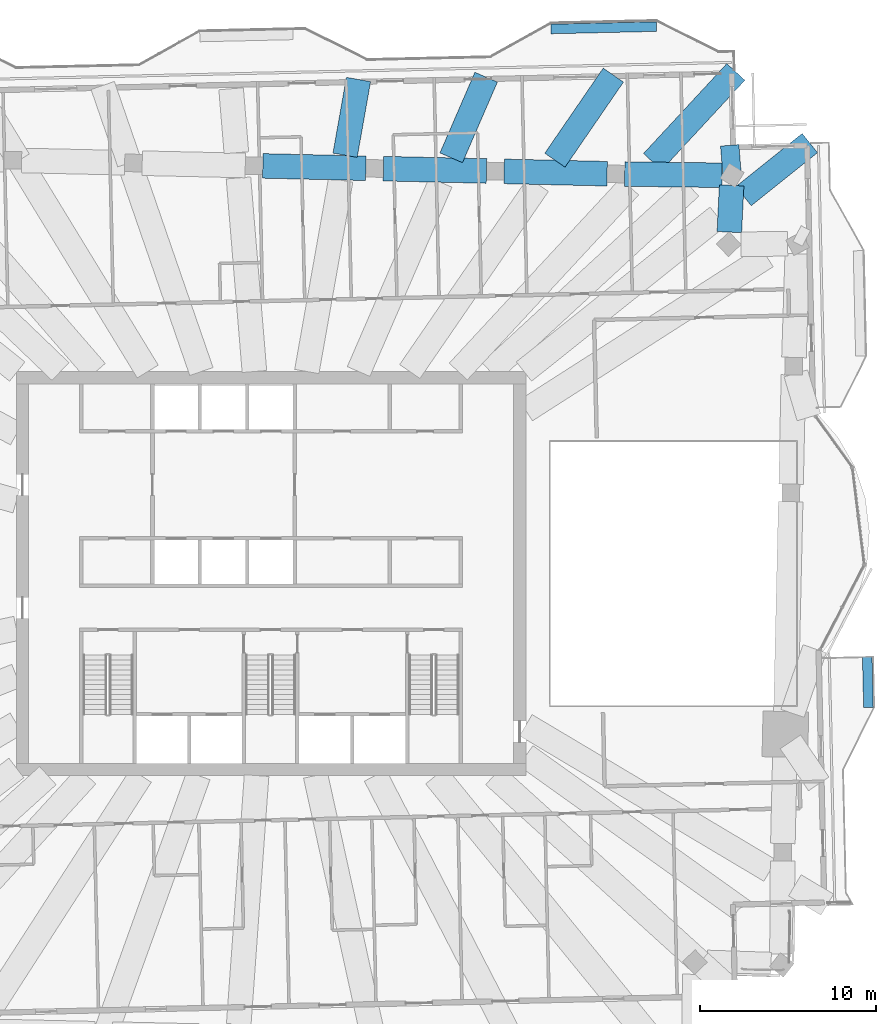
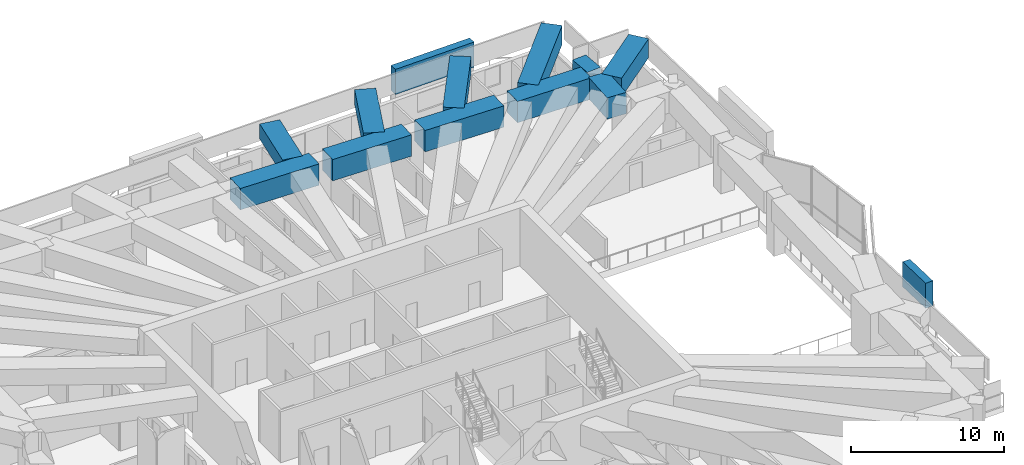
# One storey, part 8 of 21: 11 beams, 2 members.
"""IFC4 building model written with IfcOpenShell, lengths in metres."""

from ifc_helpers import new_model, si_unit, direction, frame, origin, origin_2d, place, context, subcontext, project, spatial, rectangle, extrude, material, material_profile, profile_set, type_object, element, save


model = new_model("IFC4")

# Units and contexts
model_context = context("Model", 3, precision=1e-05, world=origin(), true_north=direction((0.0, 1.0)))
body_context = subcontext(model_context, "Body", "Model", "MODEL_VIEW")
ifc_project = project(units=[si_unit("LENGTHUNIT", "METRE"), si_unit("AREAUNIT", "SQUARE_METRE"), si_unit("VOLUMEUNIT", "CUBIC_METRE"), si_unit("PLANEANGLEUNIT", "RADIAN"), si_unit("MASSUNIT", "GRAM", prefix="KILO")], contexts=[model_context])

# Site, building, storey
site_placement = place(None, origin())
site = spatial("IfcSite", under=ifc_project, at=site_placement, CompositionType="ELEMENT")
building_placement = place(site_placement, origin())
building = spatial("IfcBuilding", under=site, at=building_placement, Name="Mangrove Gate Tower", CompositionType="ELEMENT")
storey_placement = place(building_placement, frame((0.0, 0.0, 275.300048828125)))
storey = spatial("IfcBuildingStorey", under=building, at=storey_placement, Name="L70", CompositionType="ELEMENT", Elevation=275.300048828125)

# Members
ifc_material_1 = material(Name="Planting on aluminium trellis", Category="aluminium")
ifc_material_profile_1 = material_profile(ifc_material_1, rectangle(XDim=0.550048828125, YDim=2.0, at=origin_2d()))
ifc_profile_set_1 = profile_set([ifc_material_profile_1], Name="Planting on aluminium trellis")
member_type = type_object("IfcMemberType", Name="Balcony greenery screen 550x2000", PredefinedType="USERDEFINED", material=ifc_profile_set_1)
member_1_placement = place(storey_placement, frame((34.001953125, -7.616943359375, 1.800048828125), z_axis=(-0.022929749512, 0.99973707873, 0.0), x_axis=(-0.99973707873, -0.022929749512, 0.0)))
element("IfcMember", 1, at=member_1_placement, inside=storey, type_object=member_type, Name="GREEN SCREEN L70 E0.1", ObjectType="PLANTING", PredefinedType="USERDEFINED", context=body_context, shape_type="SweptSolid", body=[
    extrude(rectangle(XDim=0.550048828125, YDim=2.0, at=origin_2d()), origin(), (0.0, 0.0, 1.0), 2.874755859375),
])
member_2_placement = place(storey_placement, frame((15.93798828125, 30.998046875, 1.800048828125), z_axis=(0.999743094499, 0.022665943652, 0.0), x_axis=(-0.022665943652, 0.999743094499, 0.0)))
element("IfcMember", 2, at=member_2_placement, inside=storey, type_object=member_type, Name="GREEN SCREEN L70 N0.1", ObjectType="PLANTING", PredefinedType="USERDEFINED", context=body_context, shape_type="SweptSolid", body=[
    extrude(rectangle(XDim=0.550048828125, YDim=2.0, at=origin_2d()), origin(), (0.0, 0.0, 1.0), 5.99951171875),
])

# Beams
ifc_material_2 = material(Name="Concrete C50/60", Category="concrete")
ifc_material_profile_2 = material_profile(ifc_material_2, rectangle(XDim=1.050048828125, YDim=1.199951171875, at=origin_2d()))
ifc_profile_set_2 = profile_set([ifc_material_profile_2], Name="Concrete C50/60")
beam_type_1 = type_object("IfcBeamType", Name="Transfer girder RC 1050x1200 C50/60", PredefinedType="BEAM", material=ifc_profile_set_2)
beam_1_placement = place(storey_placement, frame((26.24267578125, 22.664794921875, 3.449951171875), z_axis=(-0.079654766848, 0.996822510841, 0.0), x_axis=(-0.996822510841, -0.079654766848, 0.0)))
element("IfcBeam", 3, at=beam_1_placement, inside=storey, type_object=beam_type_1, Name="Transfer edge girder L70 21", PredefinedType="BEAM", context=body_context, shape_type="SweptSolid", body=[
    extrude(rectangle(XDim=1.050048828125, YDim=1.199951171875, at=origin_2d()), origin(), (0.0, 0.0, 1.0), 1.71630859375),
])
ifc_material_3 = material(Name="Concrete C50/60", Category="concrete")
ifc_material_profile_3 = material_profile(ifc_material_3, rectangle(XDim=1.39990234375, YDim=1.199951171875, at=origin_2d()))
ifc_profile_set_3 = profile_set([ifc_material_profile_3], Name="Concrete C50/60")
beam_type_2 = type_object("IfcBeamType", Name="Transfer girder RC 1400x1200 C50/60", PredefinedType="BEAM", material=ifc_profile_set_3)
beam_2_placement = place(storey_placement, frame((10.252685546875, 23.664306640625, 3.449951171875), z_axis=(0.397567722227, 0.917572834299, 0.0), x_axis=(-0.917572834299, 0.397567722227, 0.0)))
element("IfcBeam", 4, at=beam_2_placement, inside=storey, type_object=beam_type_2, Name="Transfer cantilever girder L70 24", PredefinedType="BEAM", context=body_context, shape_type="SweptSolid", body=[
    extrude(rectangle(XDim=1.39990234375, YDim=1.199951171875, at=origin_2d()), origin(), (0.0, 0.0, 1.0), 5.0029296875),
])
beam_3_placement = place(storey_placement, frame((4.21142578125, 23.809326171875, 3.449951171875), z_axis=(0.174185842186, 0.984712796902, 0.0), x_axis=(-0.984712796902, 0.174185842186, 0.0)))
element("IfcBeam", 5, at=beam_3_placement, inside=storey, type_object=beam_type_2, Name="Transfer cantilever girder L70 25", PredefinedType="BEAM", context=body_context, shape_type="SweptSolid", body=[
    extrude(rectangle(XDim=1.39990234375, YDim=1.199951171875, at=origin_2d()), origin(), (0.0, 0.0, 1.0), 4.38134765625),
])
ifc_material_4 = material(Name="Concrete C50/60", Category="concrete")
ifc_material_profile_4 = material_profile(ifc_material_4, rectangle(XDim=1.39990234375, YDim=1.300048828125, at=origin_2d()))
ifc_profile_set_4 = profile_set([ifc_material_profile_4], Name="Concrete C50/60")
beam_type_3 = type_object("IfcBeamType", Name="Transfer girder RC 1400x1300 C50/60", PredefinedType="BEAM", material=ifc_profile_set_4)
beam_4_placement = place(storey_placement, frame((16.156005859375, 23.529296875, 3.39990234375), z_axis=(0.566040223059, 0.824377623349, 0.0), x_axis=(-0.824377623349, 0.566040223059, 0.0)))
element("IfcBeam", 6, at=beam_4_placement, inside=storey, type_object=beam_type_3, Name="Transfer cantilever girder L70 23", PredefinedType="BEAM", context=body_context, shape_type="SweptSolid", body=[
    extrude(rectangle(XDim=1.39990234375, YDim=1.300048828125, at=origin_2d()), origin(), (0.0, 0.0, 1.0), 5.875244140625),
])
ifc_material_5 = material(Name="Concrete C50/60", Category="concrete")
ifc_material_profile_5 = material_profile(ifc_material_5, rectangle(XDim=1.39990234375, YDim=1.5, at=origin_2d()))
ifc_profile_set_5 = profile_set([ifc_material_profile_5], Name="Concrete C50/60")
beam_type_4 = type_object("IfcBeamType", Name="Transfer girder RC 1400x1500 C50/60", PredefinedType="BEAM", material=ifc_profile_set_5)
beam_5_placement = place(storey_placement, frame((26.890869140625, 21.48388671875, 3.300048828125), z_axis=(0.781302163592, 0.624152969364, 0.0), x_axis=(-0.624152969364, 0.781302163592, 0.0)))
element("IfcBeam", 7, at=beam_5_placement, inside=storey, type_object=beam_type_4, Name="Transfer cantilever girder L70 20", PredefinedType="BEAM", context=body_context, shape_type="SweptSolid", body=[
    extrude(rectangle(XDim=1.39990234375, YDim=1.5, at=origin_2d()), origin(), (0.0, 0.0, 1.0), 4.834716796875),
])
beam_6_placement = place(storey_placement, frame((21.712158203125, 23.43359375, 3.300048828125), z_axis=(0.679653572874, 0.733533244563, 0.0), x_axis=(-0.733533244563, 0.679653572874, 0.0)))
element("IfcBeam", 8, at=beam_6_placement, inside=storey, type_object=beam_type_4, Name="Transfer cantilever girder L70 22", PredefinedType="BEAM", context=body_context, shape_type="SweptSolid", body=[
    extrude(rectangle(XDim=1.39990234375, YDim=1.5, at=origin_2d()), origin(), (0.0, 0.0, 1.0), 6.97802734375),
])
ifc_material_6 = material(Name="Concrete C50/60", Category="concrete")
ifc_material_profile_6 = material_profile(ifc_material_6, rectangle(XDim=1.39990234375, YDim=1.699951171875, at=origin_2d()))
ifc_profile_set_6 = profile_set([ifc_material_profile_6], Name="Concrete C50/60")
beam_type_5 = type_object("IfcBeamType", Name="Transfer girder RC 1400x1700 C50/60", PredefinedType="BEAM", material=ifc_profile_set_6)
beam_7_placement = place(storey_placement, frame((26.085205078125, 19.43505859375, 3.199951171875), z_axis=(0.048675713211, 0.998814634927, 0.0), x_axis=(-0.998814634927, 0.048675713211, 0.0)))
element("IfcBeam", 9, at=beam_7_placement, inside=storey, type_object=beam_type_5, Name="Transfer ring girder L70 19", PredefinedType="BEAM", context=body_context, shape_type="SweptSolid", body=[
    extrude(rectangle(XDim=1.39990234375, YDim=1.699951171875, at=origin_2d()), origin(), (0.0, 0.0, 1.0), 2.663330078125),
])
beam_8_placement = place(storey_placement, frame((25.660400390625, 22.672119140625, 3.199951171875), z_axis=(-0.999922612995, 0.012440579585, 0.0), x_axis=(-0.012440579585, -0.999922612995, 0.0)))
element("IfcBeam", 10, at=beam_8_placement, inside=storey, type_object=beam_type_5, Name="Transfer ring girder L70 20", PredefinedType="BEAM", context=body_context, shape_type="SweptSolid", body=[
    extrude(rectangle(XDim=1.39990234375, YDim=1.699951171875, at=origin_2d()), origin(), (0.0, 0.0, 1.0), 5.5341796875),
])
beam_9_placement = place(storey_placement, frame((19.126708984375, 22.758544921875, 3.199951171875), z_axis=(-0.999741921459, 0.022717624818, 0.0), x_axis=(-0.022717624818, -0.999741921459, 0.0)))
element("IfcBeam", 11, at=beam_9_placement, inside=storey, type_object=beam_type_5, Name="Transfer ring girder L70 21", PredefinedType="BEAM", context=body_context, shape_type="SweptSolid", body=[
    extrude(rectangle(XDim=1.39990234375, YDim=1.699951171875, at=origin_2d()), origin(), (0.0, 0.0, 1.0), 5.86767578125),
])
beam_10_placement = place(storey_placement, frame((12.2607421875, 22.91455078125, 3.199951171875), z_axis=(-0.999741835545, 0.022721405353, 0.0), x_axis=(-0.022721405353, -0.999741835545, 0.0)))
element("IfcBeam", 12, at=beam_10_placement, inside=storey, type_object=beam_type_5, Name="Transfer ring girder L70 22", PredefinedType="BEAM", context=body_context, shape_type="SweptSolid", body=[
    extrude(rectangle(XDim=1.39990234375, YDim=1.699951171875, at=origin_2d()), origin(), (0.0, 0.0, 1.0), 5.86669921875),
])
beam_11_placement = place(storey_placement, frame((5.395751953125, 23.070556640625, 3.199951171875), z_axis=(-0.999741921459, 0.022717624818, 0.0), x_axis=(-0.022717624818, -0.999741921459, 0.0)))
element("IfcBeam", 13, at=beam_11_placement, inside=storey, type_object=beam_type_5, Name="Transfer ring girder L70 23", PredefinedType="BEAM", context=body_context, shape_type="SweptSolid", body=[
    extrude(rectangle(XDim=1.39990234375, YDim=1.699951171875, at=origin_2d()), origin(), (0.0, 0.0, 1.0), 5.86767578125),
])

save(model, "model.ifc")
